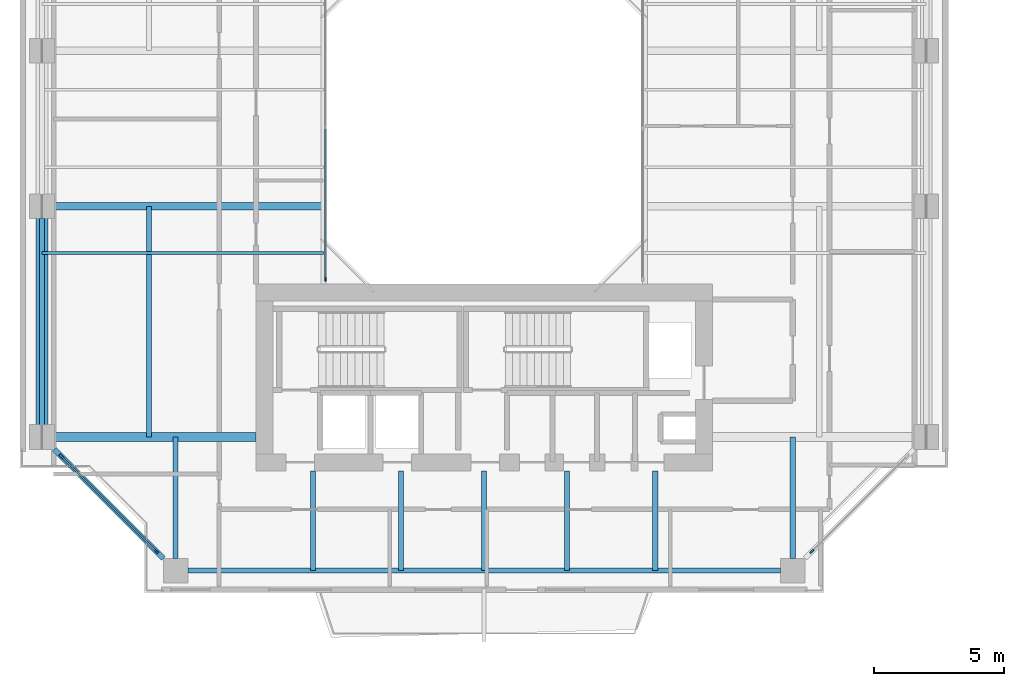
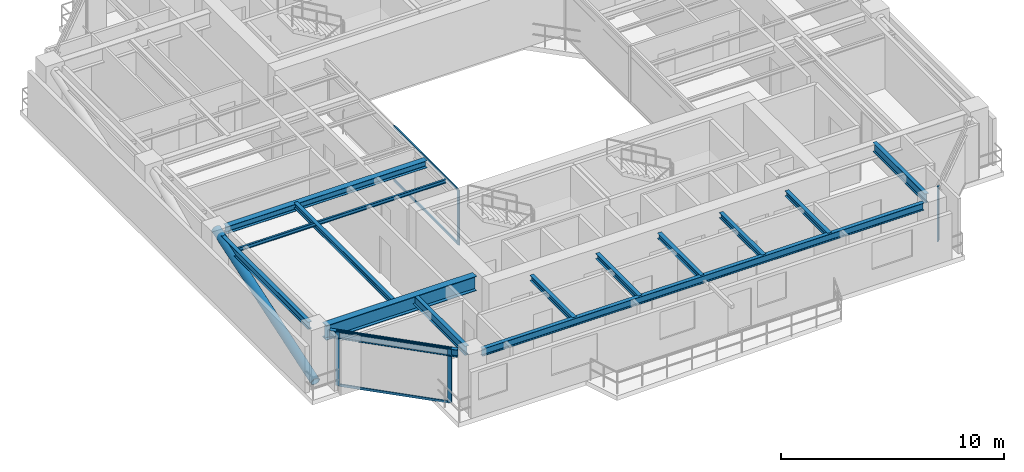
# One storey, part 2 of 14: 14 beams, 9 members, 3 elements without a shape of their own.
"""IFC4 building model written with IfcOpenShell, lengths in metres."""

from ifc_helpers import new_model, si_unit, direction, frame, origin, origin_2d, place, context, subcontext, project, spatial, rectangle, hollow_circle, i_section, extrude, source, transform, mapped, material, layer, layer_set, material_profile, profile_set, type_object, element, aggregate, save


model = new_model("IFC4")

# Units and contexts
model_context = context("Model", 3, precision=1e-05, world=origin(), true_north=direction((0.0, 1.0)))
body_context = subcontext(model_context, "Body", "Model", "MODEL_VIEW")
ifc_project = project(units=[si_unit("LENGTHUNIT", "METRE"), si_unit("AREAUNIT", "SQUARE_METRE"), si_unit("VOLUMEUNIT", "CUBIC_METRE"), si_unit("PLANEANGLEUNIT", "RADIAN"), si_unit("MASSUNIT", "GRAM", prefix="KILO"), si_unit("THERMODYNAMICTEMPERATUREUNIT", "KELVIN"), si_unit("POWERUNIT", "WATT")], contexts=[model_context])

# Site, building, storey
site_placement = place(None, origin())
site = spatial("IfcSite", under=ifc_project, at=site_placement, CompositionType="ELEMENT")
building_placement = place(site_placement, origin())
building = spatial("IfcBuilding", under=site, at=building_placement, Name="Qiaomeng Ring Towers", CompositionType="ELEMENT")
storey_placement = place(building_placement, frame((0.0, 0.0, 173.0)))
storey = spatial("IfcBuildingStorey", under=building, at=storey_placement, Name="L50", CompositionType="ELEMENT", Elevation=173.0)

# Beams
ifc_material_1 = material(Name="Steel Q355B", Category="steel")
ifc_material_profile_1 = material_profile(ifc_material_1, i_section(OverallWidth=0.199951171875, OverallDepth=0.2939453125, WebThickness=0.008056640625, FlangeThickness=0.011962890625, FilletRadius=0.01806640625, at=origin_2d()), Name="HM 294x200x8x12")
ifc_profile_set_1 = profile_set([ifc_material_profile_1], Name="Steel Q355B")
beam_type_1 = type_object("IfcBeamType", Name="STR-BM-HM294", PredefinedType="JOIST", material=ifc_profile_set_1)
shared_shape_1 = source(origin(), body_context, "Body", "SweptSolid", [
    extrude(i_section(OverallWidth=0.199951171875, OverallDepth=0.2939453125, WebThickness=0.008056640625, FlangeThickness=0.011962890625, FilletRadius=0.01806640625, at=origin_2d()), origin(), (0.0, 0.0, 1.0), 3.85009765625),
])
for number, where, z_axis, x_axis, name in (
    (1, (12.39990234375, 5.949951171875, 2.85302734375), (0.0, 1.0, 0.0), (-1.0, 0.0, 0.0), "L50 beam STR-JST-L50-T1S-1"),
    (2, (15.800048828125, 5.949951171875, 2.85302734375), (0.0, 1.0, 0.0), (-1.0, 0.0, 0.0), "L50 beam STR-JST-L50-T1S-2"),
    (3, (19.0, 5.949951171875, 2.85302734375), (0.0, 1.0, 0.0), (-1.0, 0.0, 0.0), "L50 beam STR-JST-L50-T1S-3"),
    (4, (22.199951171875, 5.949951171875, 2.85302734375), (0.0, 1.0, 0.0), (-1.0, 0.0, 0.0), "L50 beam STR-JST-L50-T1S-4"),
    (5, (25.60009765625, 5.949951171875, 2.85302734375), (0.0, 1.0, 0.0), (-1.0, 0.0, 0.0), "L50 beam STR-JST-L50-T1S-5"),
):
    element("IfcBeam", number, at=place(storey_placement, frame(where, z_axis=z_axis, x_axis=x_axis)), inside=storey, type_object=beam_type_1, Name=name, PredefinedType="JOIST", context=body_context, shape_type="MappedRepresentation", body=[
        mapped(shared_shape_1, transform((0.0, 0.0, 0.0), x_axis=(1.0, 0.0, 0.0), y_axis=(0.0, 1.0, 0.0), z_axis=(0.0, 0.0, 1.0), scale=1.0)),
    ])
ifc_material_profile_2 = material_profile(ifc_material_1, i_section(OverallWidth=0.10009765625, OverallDepth=0.199951171875, WebThickness=0.005615234375, FlangeThickness=0.008056640625, FilletRadius=0.010986328125, at=origin_2d()), Name="HN 200x100x5.5x8")
ifc_profile_set_2 = profile_set([ifc_material_profile_2], Name="Steel Q355B")
beam_type_2 = type_object("IfcBeamType", Name="STR-BM-HN200", PredefinedType="JOIST", material=ifc_profile_set_2)
shared_shape_2 = source(origin(), body_context, "Body", "SweptSolid", [
    extrude(i_section(OverallWidth=0.10009765625, OverallDepth=0.199951171875, WebThickness=0.005615234375, FlangeThickness=0.008056640625, FilletRadius=0.010986328125, at=origin_2d()), origin(), (0.0, 0.0, 1.0), 10.85009765625),
])
beam_1_placement = place(storey_placement, frame((1.949951171875, 18.199951171875, 2.89990234375), z_axis=(1.0, 0.0, 0.0), x_axis=(0.0, 1.0, 0.0)))
element("IfcBeam", 6, at=beam_1_placement, inside=storey, type_object=beam_type_2, Name="L50 beam STR-JST-L50-T1W-1", PredefinedType="JOIST", context=body_context, shape_type="MappedRepresentation", body=[
    mapped(shared_shape_2, transform((0.0, 0.0, 0.0), x_axis=(1.0, 0.0, 0.0), y_axis=(0.0, 1.0, 0.0), z_axis=(0.0, 0.0, 1.0), scale=1.0)),
])
shared_shape_3 = source(origin(), body_context, "Body", "SweptSolid", [
    extrude(i_section(OverallWidth=0.199951171875, OverallDepth=0.2939453125, WebThickness=0.008056640625, FlangeThickness=0.011962890625, FilletRadius=0.01806640625, at=origin_2d()), origin(), (0.0, 0.0, 1.0), 8.89990234375),
])
beam_2_placement = place(storey_placement, frame((6.074951171875, 11.10009765625, 2.85302734375), z_axis=(0.0, 1.0, 0.0), x_axis=(-1.0, 0.0, 0.0)))
element("IfcBeam", 7, at=beam_2_placement, inside=storey, type_object=beam_type_1, Name="L50 beam STR-JST-L50-T1C-WS", PredefinedType="JOIST", context=body_context, shape_type="MappedRepresentation", body=[
    mapped(shared_shape_3, transform((0.0, 0.0, 0.0), x_axis=(1.0, 0.0, 0.0), y_axis=(0.0, 1.0, 0.0), z_axis=(0.0, 0.0, 1.0), scale=1.0)),
])
ifc_material_profile_3 = material_profile(ifc_material_1, i_section(OverallWidth=0.199951171875, OverallDepth=0.39990234375, WebThickness=0.008056640625, FlangeThickness=0.012939453125, FilletRadius=0.01611328125, at=origin_2d()), Name="HN 400x200x8x13")
ifc_profile_set_3 = profile_set([ifc_material_profile_3], Name="Steel Q355B")
beam_type_3 = type_object("IfcBeamType", Name="STR-BM-HN400", PredefinedType="SPANDREL", material=ifc_profile_set_3)
shared_shape_4 = source(origin(), body_context, "Body", "SweptSolid", [
    extrude(i_section(OverallWidth=0.199951171875, OverallDepth=0.39990234375, WebThickness=0.008056640625, FlangeThickness=0.012939453125, FilletRadius=0.01611328125, at=origin_2d()), origin(), (0.0, 0.0, 1.0), 22.85205078125),
])
beam_3_placement = place(storey_placement, frame((7.573974609375, 5.949951171875, 2.800048828125), z_axis=(1.0, 0.0, 0.0), x_axis=(0.0, 1.0, 0.0)))
element("IfcBeam", 8, at=beam_3_placement, inside=storey, type_object=beam_type_3, Name="L50 beam STR-SP-L50-T1-S1-S2", PredefinedType="SPANDREL", context=body_context, shape_type="MappedRepresentation", body=[
    mapped(shared_shape_4, transform((0.0, 0.0, 0.0), x_axis=(1.0, 0.0, 0.0), y_axis=(0.0, 1.0, 0.0), z_axis=(0.0, 0.0, 1.0), scale=1.0)),
])
shared_shape_5 = source(origin(), body_context, "Body", "SweptSolid", [
    extrude(i_section(OverallWidth=0.199951171875, OverallDepth=0.39990234375, WebThickness=0.008056640625, FlangeThickness=0.012939453125, FilletRadius=0.01611328125, at=origin_2d()), origin(), (0.0, 0.0, 1.0), 5.941650390625),
])
beam_4_placement = place(storey_placement, frame((2.42431640625, 10.625732421875, 2.800048828125), z_axis=(0.707106781187, -0.707106781187, 0.0), x_axis=(0.707106781187, 0.707106781187, 0.0)))
element("IfcBeam", 9, at=beam_4_placement, inside=storey, type_object=beam_type_3, Name="L50 beam STR-SP-L50-T1-W1-S1", PredefinedType="SPANDREL", context=body_context, shape_type="MappedRepresentation", body=[
    mapped(shared_shape_5, transform((0.0, 0.0, 0.0), x_axis=(1.0, 0.0, 0.0), y_axis=(0.0, 1.0, 0.0), z_axis=(0.0, 0.0, 1.0), scale=1.0)),
])
shared_shape_6 = source(origin(), body_context, "Body", "SweptSolid", [
    extrude(i_section(OverallWidth=0.199951171875, OverallDepth=0.39990234375, WebThickness=0.008056640625, FlangeThickness=0.012939453125, FilletRadius=0.01611328125, at=origin_2d()), origin(), (0.0, 0.0, 1.0), 7.951904296875),
])
beam_5_placement = place(storey_placement, frame((1.949951171875, 19.52587890625, 2.800048828125), z_axis=(0.0, -1.0, 0.0), x_axis=(1.0, 0.0, 0.0)))
element("IfcBeam", 10, at=beam_5_placement, inside=storey, type_object=beam_type_3, Name="L50 beam STR-SP-L50-T1-W2-W1", PredefinedType="SPANDREL", context=body_context, shape_type="MappedRepresentation", body=[
    mapped(shared_shape_6, transform((0.0, 0.0, 0.0), x_axis=(1.0, 0.0, 0.0), y_axis=(0.0, 1.0, 0.0), z_axis=(0.0, 0.0, 1.0), scale=1.0)),
])
ifc_material_2 = material(Name="Steel Q390GJC", Category="steel")
ifc_material_profile_4 = material_profile(ifc_material_2, i_section(OverallWidth=0.35009765625, OverallDepth=0.800048828125, WebThickness=0.01611328125, FlangeThickness=0.028076171875, at=origin_2d()), Name="WH 800x350x16x28")
ifc_profile_set_4 = profile_set([ifc_material_profile_4], Name="Steel Q390GJC")
beam_type_4 = type_object("IfcBeamType", Name="STR-BM-WH800", PredefinedType="BEAM", material=ifc_profile_set_4)
shared_shape_7 = source(origin(), body_context, "Body", "SweptSolid", [
    extrude(i_section(OverallWidth=0.35009765625, OverallDepth=0.800048828125, WebThickness=0.01611328125, FlangeThickness=0.028076171875, at=origin_2d()), origin(), (0.0, 0.0, 1.0), 7.77587890625),
])
beam_6_placement = place(storey_placement, frame((2.424072265625, 11.10009765625, 2.60009765625), z_axis=(1.0, 0.0, 0.0), x_axis=(0.0, 1.0, 0.0)))
element("IfcBeam", 11, at=beam_6_placement, inside=storey, type_object=beam_type_4, Name="L50 beam STR-BM-L50-T1-RAD-W1", PredefinedType="BEAM", context=body_context, shape_type="MappedRepresentation", body=[
    mapped(shared_shape_7, transform((0.0, 0.0, 0.0), x_axis=(1.0, 0.0, 0.0), y_axis=(0.0, 1.0, 0.0), z_axis=(0.0, 0.0, 1.0), scale=1.0)),
])
ifc_material_profile_5 = material_profile(ifc_material_1, i_section(OverallWidth=0.199951171875, OverallDepth=0.5, WebThickness=0.010009765625, FlangeThickness=0.01611328125, FilletRadius=0.02001953125, at=origin_2d()), Name="HN 500x200x10x16")
ifc_profile_set_5 = profile_set([ifc_material_profile_5], Name="Steel Q355B")
beam_type_5 = type_object("IfcBeamType", Name="STR-BM-HN500", PredefinedType="BEAM", material=ifc_profile_set_5)
shared_shape_8 = source(origin(), body_context, "Body", "SweptSolid", [
    extrude(i_section(OverallWidth=0.199951171875, OverallDepth=0.5, WebThickness=0.010009765625, FlangeThickness=0.01611328125, FilletRadius=0.02001953125, at=origin_2d()), origin(), (0.0, 0.0, 1.0), 4.676025390625),
])
for number, where, z_axis, x_axis, name in (
    (12, (7.10009765625, 6.424072265625, 2.75), (0.0, 1.0, 0.0), (-1.0, 0.0, 0.0), "L50 beam STR-BM-L50-T1-RAD-S1"),
    (13, (30.89990234375, 6.424072265625, 2.75), (0.0, 1.0, 0.0), (-1.0, 0.0, 0.0), "L50 beam STR-BM-L50-T1-RAD-S2"),
):
    element("IfcBeam", number, at=place(storey_placement, frame(where, z_axis=z_axis, x_axis=x_axis)), inside=storey, type_object=beam_type_5, Name=name, PredefinedType="BEAM", context=body_context, shape_type="MappedRepresentation", body=[
        mapped(shared_shape_8, transform((0.0, 0.0, 0.0), x_axis=(1.0, 0.0, 0.0), y_axis=(0.0, 1.0, 0.0), z_axis=(0.0, 0.0, 1.0), scale=1.0)),
    ])
ifc_material_profile_6 = material_profile(ifc_material_1, i_section(OverallWidth=0.300048828125, OverallDepth=0.389892578125, WebThickness=0.010009765625, FlangeThickness=0.01611328125, FilletRadius=0.02197265625, at=origin_2d()), Name="HM 390x300x10x16")
ifc_profile_set_6 = profile_set([ifc_material_profile_6], Name="Steel Q355B")
beam_type_6 = type_object("IfcBeamType", Name="STR-BM-HM390", PredefinedType="BEAM", material=ifc_profile_set_6)
shared_shape_9 = source(origin(), body_context, "Body", "SweptSolid", [
    extrude(i_section(OverallWidth=0.300048828125, OverallDepth=0.389892578125, WebThickness=0.010009765625, FlangeThickness=0.01611328125, FilletRadius=0.02197265625, at=origin_2d()), origin(), (0.0, 0.0, 1.0), 10.3759765625),
])
beam_7_placement = place(storey_placement, frame((2.424072265625, 20.0, 2.804931640625), z_axis=(1.0, 0.0, 0.0), x_axis=(0.0, 1.0, 0.0)))
element("IfcBeam", 14, at=beam_7_placement, inside=storey, type_object=beam_type_6, Name="L50 beam STR-BM-L50-T1-RAD-W2", PredefinedType="BEAM", context=body_context, shape_type="MappedRepresentation", body=[
    mapped(shared_shape_9, transform((0.0, 0.0, 0.0), x_axis=(1.0, 0.0, 0.0), y_axis=(0.0, 1.0, 0.0), z_axis=(0.0, 0.0, 1.0), scale=1.0)),
])

# Member
ifc_material_profile_7 = material_profile(ifc_material_2, hollow_circle(Radius=0.228515625, WallThickness=0.028076171875, at=origin_2d()), Name="CHS 457x28")
ifc_profile_set_7 = profile_set([ifc_material_profile_7], Name="Steel Q390GJC")
member_type_1 = type_object("IfcMemberType", Name="STR-MB-BR-457", PredefinedType="BRACE", material=ifc_profile_set_7)
shared_shape_10 = source(origin(), body_context, "Body", "SweptSolid", [
    extrude(hollow_circle(Radius=0.228515625, WallThickness=0.028076171875, at=origin_2d()), origin(), (0.0, 0.0, 1.0), 9.379150390625),
])
member_1_placement = place(storey_placement, frame((1.949951171875, 11.10009765625, 0.02001953125), z_axis=(0.0, 0.948896527699, 0.315587356719), x_axis=(-1.0, 0.0, 0.0)))
element("IfcMember", 15, at=member_1_placement, inside=storey, type_object=member_type_1, Name="L50 Portal Bridge Truss Diagonal W-0A", PredefinedType="BRACE", context=body_context, shape_type="MappedRepresentation", body=[
    mapped(shared_shape_10, transform((0.0, 0.0, 0.0), x_axis=(1.0, 0.0, 0.0), y_axis=(0.0, 1.0, 0.0), z_axis=(0.0, 0.0, 1.0), scale=1.0)),
])

# Curtain wall, members
ifc_material_3 = material(Name="Fluorocarbon dark-grey aluminium", Category="aluminium")
ifc_layer_1 = layer(ifc_material_3, 0.139892578125, Name="Fluorocarbon dark-grey aluminium")
ifc_layer_set_1 = layer_set([ifc_layer_1], Name="Fluorocarbon dark-grey aluminium")
curtain_wall_type_1 = type_object("IfcCurtainWallType", Name="ARC-CW-4", PredefinedType="NOTDEFINED", material=ifc_layer_set_1)
curtain_wall_1_placement = place(storey_placement, origin())
curtain_wall_1 = element("IfcCurtainWall", 16, at=curtain_wall_1_placement, inside=storey, type_object=curtain_wall_type_1, Name="L50 Curtain Wall CW4", PredefinedType="NOTDEFINED")
ifc_material_profile_8 = material_profile(ifc_material_3, rectangle(XDim=0.06494140625, YDim=0.1298828125, at=origin_2d()), Name="ALU TRAN 65x130")
ifc_profile_set_8 = profile_set([ifc_material_profile_8], Name="Fluorocarbon dark-grey aluminium")
member_type_2 = type_object("IfcMemberType", Name="ARC-CWT-120", PredefinedType="USERDEFINED", material=ifc_profile_set_8)
shared_shape_11 = source(origin(), body_context, "Body", "SweptSolid", [
    extrude(rectangle(XDim=0.06494140625, YDim=0.1298828125, at=origin_2d()), origin(), (0.0, 0.0, 1.0), 5.75244140625),
])
member_2_placement = place(storey_placement, frame((12.8798828125, 17.215087890625, 0.032470703125), z_axis=(0.0, 1.0, 0.0), x_axis=(-1.0, 0.0, 0.0)))
member_2 = element("IfcMember", 17, at=member_2_placement, type_object=member_type_2, Name="CW4 transom 1.1", ObjectType="TRANSOM", PredefinedType="USERDEFINED", context=body_context, shape_type="MappedRepresentation", body=[
    mapped(shared_shape_11, transform((0.0, 0.0, 0.0), x_axis=(1.0, 0.0, 0.0), y_axis=(0.0, 1.0, 0.0), z_axis=(0.0, 0.0, 1.0), scale=1.0)),
])
member_3_placement = place(storey_placement, frame((12.8798828125, 17.215087890625, 2.967529296875), z_axis=(0.0, 1.0, 0.0), x_axis=(-1.0, 0.0, 0.0)))
member_3 = element("IfcMember", 18, at=member_3_placement, type_object=member_type_2, Name="CW4 transom 1.2", ObjectType="TRANSOM", PredefinedType="USERDEFINED", context=body_context, shape_type="MappedRepresentation", body=[
    mapped(shared_shape_11, transform((0.0, 0.0, 0.0), x_axis=(1.0, 0.0, 0.0), y_axis=(0.0, 1.0, 0.0), z_axis=(0.0, 0.0, 1.0), scale=1.0)),
])

ifc_layer_2 = layer(ifc_material_3, 0.14990234375, Name="Fluorocarbon dark-grey aluminium")
ifc_layer_set_2 = layer_set([ifc_layer_2], Name="Fluorocarbon dark-grey aluminium")
curtain_wall_type_2 = type_object("IfcCurtainWallType", Name="ARC-CW-3", PredefinedType="NOTDEFINED", material=ifc_layer_set_2)
curtain_wall_2_placement = place(storey_placement, origin())
curtain_wall_2 = element("IfcCurtainWall", 19, at=curtain_wall_2_placement, inside=storey, type_object=curtain_wall_type_2, Name="L50 Curtain Wall CW3", PredefinedType="NOTDEFINED")
shared_shape_12 = source(origin(), body_context, "Body", "SweptSolid", [
    extrude(rectangle(XDim=0.06494140625, YDim=0.1298828125, at=origin_2d()), origin(), (0.0, 0.0, 1.0), 5.12060546875),
])
member_4_placement = place(storey_placement, frame((2.714599609375, 10.33544921875, 0.032470703125), z_axis=(0.707106781187, -0.707106781187, 0.0), x_axis=(0.707106781187, 0.707106781187, 0.0)))
member_4 = element("IfcMember", 20, at=member_4_placement, type_object=member_type_2, Name="CW3 transom 1.1", ObjectType="TRANSOM", PredefinedType="USERDEFINED", context=body_context, shape_type="MappedRepresentation", body=[
    mapped(shared_shape_12, transform((0.0, 0.0, 0.0), x_axis=(1.0, 0.0, 0.0), y_axis=(0.0, 1.0, 0.0), z_axis=(0.0, 0.0, 1.0), scale=1.0)),
])
member_5_placement = place(storey_placement, frame((2.714599609375, 10.33544921875, 2.967529296875), z_axis=(0.707106781187, -0.707106781187, 0.0), x_axis=(0.707106781187, 0.707106781187, 0.0)))
member_5 = element("IfcMember", 21, at=member_5_placement, type_object=member_type_2, Name="CW3 transom 1.2", ObjectType="TRANSOM", PredefinedType="USERDEFINED", context=body_context, shape_type="MappedRepresentation", body=[
    mapped(shared_shape_12, transform((0.0, 0.0, 0.0), x_axis=(1.0, 0.0, 0.0), y_axis=(0.0, 1.0, 0.0), z_axis=(0.0, 0.0, 1.0), scale=1.0)),
])

# Curtain wall, member
curtain_wall_3_placement = place(storey_placement, origin())
curtain_wall_3 = element("IfcCurtainWall", 22, at=curtain_wall_3_placement, inside=storey, type_object=curtain_wall_type_2, Name="L50 Curtain Wall CW3", PredefinedType="NOTDEFINED")
ifc_material_profile_9 = material_profile(ifc_material_3, rectangle(XDim=0.070068359375, YDim=0.179931640625, at=origin_2d()), Name="ALU MULL 70x180")
ifc_profile_set_9 = profile_set([ifc_material_profile_9], Name="Fluorocarbon dark-grey aluminium")
member_type_3 = type_object("IfcMemberType", Name="ARC-CWM-160", PredefinedType="MULLION", material=ifc_profile_set_9)
shared_shape_13 = source(origin(), body_context, "Body", "SweptSolid", [
    extrude(rectangle(XDim=0.070068359375, YDim=0.179931640625, at=origin_2d()), origin(), (0.0, 0.0, 1.0), 3.0),
])
member_6_placement = place(storey_placement, frame((31.6396484375, 6.689697265625, 0.0), z_axis=(0.0, 0.0, 1.0), x_axis=(-0.707106781187, 0.707106781187, 0.0)))
member_6 = element("IfcMember", 23, at=member_6_placement, type_object=member_type_3, Name="CW3 mullion 1", PredefinedType="MULLION", context=body_context, shape_type="MappedRepresentation", body=[
    mapped(shared_shape_13, transform((0.0, 0.0, 0.0), x_axis=(1.0, 0.0, 0.0), y_axis=(0.0, 1.0, 0.0), z_axis=(0.0, 0.0, 1.0), scale=1.0)),
])
aggregate(curtain_wall_3, [member_6])

# Member
member_7_placement = place(storey_placement, frame((2.689697265625, 10.3603515625, 0.0), z_axis=(0.0, 0.0, 1.0), x_axis=(0.707106781187, 0.707106781187, 0.0)))
member_7 = element("IfcMember", 24, at=member_7_placement, type_object=member_type_3, Name="CW3 mullion 1", PredefinedType="MULLION", context=body_context, shape_type="MappedRepresentation", body=[
    mapped(shared_shape_13, transform((0.0, 0.0, 0.0), x_axis=(1.0, 0.0, 0.0), y_axis=(0.0, 1.0, 0.0), z_axis=(0.0, 0.0, 1.0), scale=1.0)),
])

member_8_placement = place(storey_placement, frame((6.3603515625, 6.689697265625, 0.0), z_axis=(0.0, 0.0, 1.0), x_axis=(0.707106781187, 0.707106781187, 0.0)))
member_8 = element("IfcMember", 25, at=member_8_placement, type_object=member_type_3, Name="CW3 mullion 2", PredefinedType="MULLION", context=body_context, shape_type="MappedRepresentation", body=[
    mapped(shared_shape_13, transform((0.0, 0.0, 0.0), x_axis=(1.0, 0.0, 0.0), y_axis=(0.0, 1.0, 0.0), z_axis=(0.0, 0.0, 1.0), scale=1.0)),
])

aggregate(curtain_wall_2, [member_7, member_8, member_4, member_5])

ifc_material_profile_10 = material_profile(ifc_material_3, rectangle(XDim=0.06494140625, YDim=0.159912109375, at=origin_2d()), Name="ALU MULL 65x160")
ifc_profile_set_10 = profile_set([ifc_material_profile_10], Name="Fluorocarbon dark-grey aluminium")
member_type_4 = type_object("IfcMemberType", Name="ARC-CWM-140", PredefinedType="MULLION", material=ifc_profile_set_10)
shared_shape_14 = source(origin(), body_context, "Body", "SweptSolid", [
    extrude(rectangle(XDim=0.06494140625, YDim=0.159912109375, at=origin_2d()), origin(), (0.0, 0.0, 1.0), 3.0),
])
member_9_placement = place(storey_placement, frame((12.8798828125, 17.1826171875, 0.0), z_axis=(0.0, 0.0, 1.0), x_axis=(-1.0, 0.0, 0.0)))
member_9 = element("IfcMember", 26, at=member_9_placement, type_object=member_type_4, Name="CW4 mullion 1", PredefinedType="MULLION", context=body_context, shape_type="MappedRepresentation", body=[
    mapped(shared_shape_14, transform((0.0, 0.0, 0.0), x_axis=(1.0, 0.0, 0.0), y_axis=(0.0, 1.0, 0.0), z_axis=(0.0, 0.0, 1.0), scale=1.0)),
])

aggregate(curtain_wall_1, [member_9, member_2, member_3])

save(model, "model.ifc")
